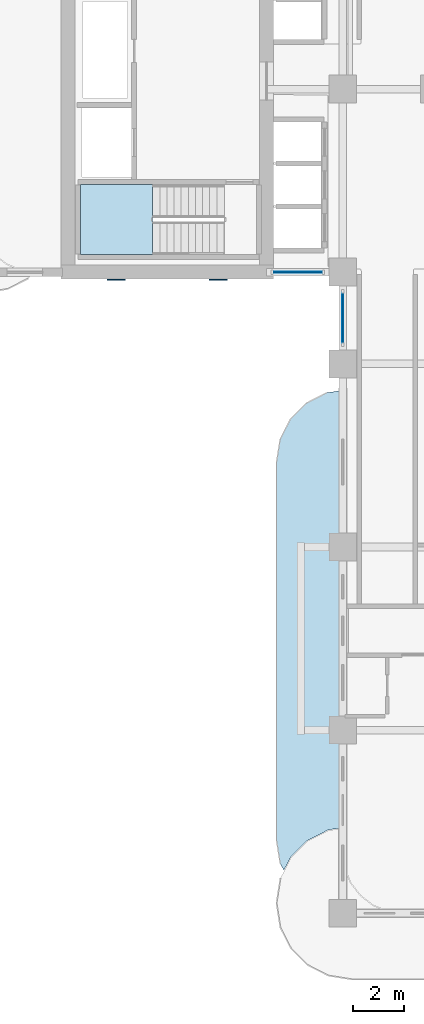
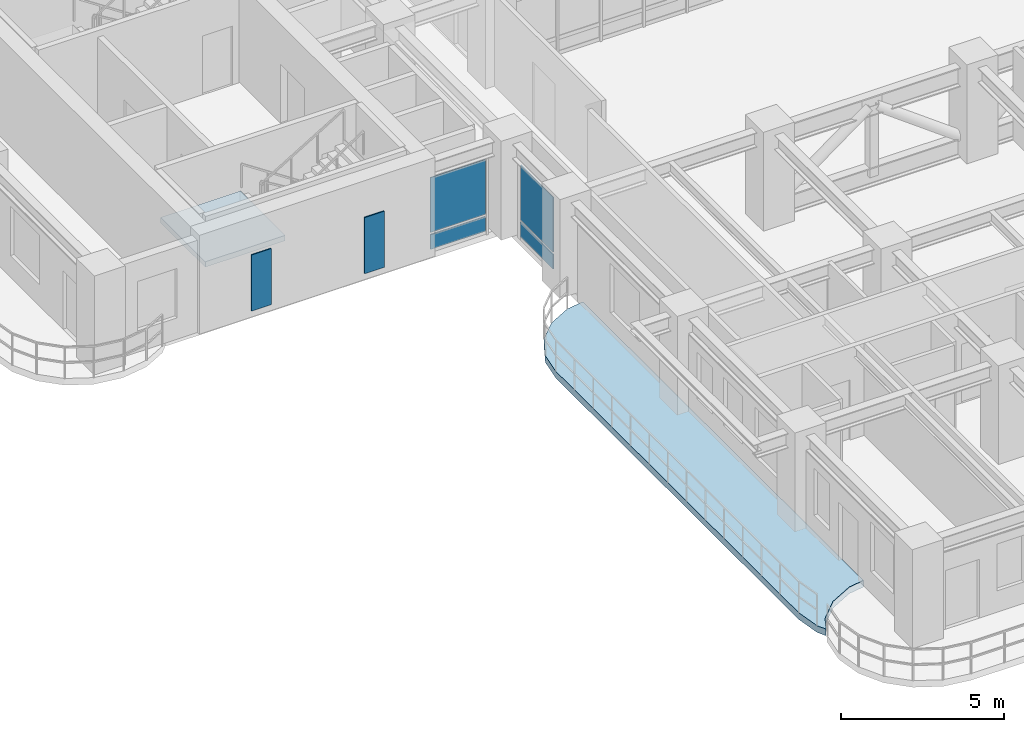
# One storey, part 7 of 21: 6 plates, 2 slabs, 3 elements without a shape of their own.
"""IFC4 building model written with IfcOpenShell, lengths in metres."""

import ifcopenshell
import ifcopenshell.guid

model = None  # the IFC model being written
_history = None  # IfcOwnerHistory: only IFC2X3 demands one
_inside = {}  # id of a spatial element -> (the spatial element, [elements in it])
_under = {}  # id of a project, library or spatial element -> (it, [spatial elements below it])
_declared = {}  # id of a project -> (the project, [libraries it declares])
_typed = {}  # id of a type object -> (the type object, [elements of that type])
_made_of = {}  # id of a material, layer set ... -> (it, [elements and type objects made of it])


def new_model(schema):
    """Start an empty IFC model of exactly this schema.

    Asked for "IFC4X3", IfcOpenShell would pick the latest addendum, in which some entities
    have other attributes; the version numbers below select the first issue.
    IFC2X3 requires an IfcOwnerHistory on every rooted entity: one is made here for all.
    """
    global model, _history
    if schema == "IFC4X3":
        model = ifcopenshell.file(schema_version=(4, 3, 0, 0))
    else:
        model = ifcopenshell.file(schema=schema)
    _inside.clear()
    _under.clear()
    _declared.clear()
    _typed.clear()
    _made_of.clear()
    _history = None
    if model.schema == "IFC2X3":
        org = make("IfcOrganization", Name="unknown")
        user = make(
            "IfcPersonAndOrganization",
            ThePerson=make("IfcPerson", FamilyName="unknown"),
            TheOrganization=org,
        )
        app = make(
            "IfcApplication",
            ApplicationDeveloper=org,
            Version="unknown",
            ApplicationFullName="unknown",
            ApplicationIdentifier="unknown",
        )
        _history = make(
            "IfcOwnerHistory",
            OwningUser=user,
            OwningApplication=app,
            ChangeAction="ADDED",
            CreationDate=0,
        )
    return model


def make(cls, **values):
    """One entity of the class cls with the attributes given. An attribute that is None is left unset."""
    return model.create_entity(
        cls, **{name: value for name, value in values.items() if value is not None}
    )


def rooted(cls, **values):
    """An entity with a GlobalId (a new one), such as an element, a storey or a relation."""
    return make(cls, GlobalId=ifcopenshell.guid.new(), OwnerHistory=_history, **values)


def si_unit(unit_type, name, prefix=None):
    """IfcSIUnit, for example si_unit("LENGTHUNIT", "METRE", prefix="MILLI")."""
    return make("IfcSIUnit", UnitType=unit_type, Prefix=prefix, Name=name)


def derived_unit(unit_type, elements):
    """IfcDerivedUnit: a product of units, each with its exponent."""
    return make(
        "IfcDerivedUnit",
        Elements=[
            make("IfcDerivedUnitElement", Unit=unit, Exponent=power)
            for unit, power in elements
        ],
        UnitType=unit_type,
    )


def assignment(units):
    """IfcUnitAssignment: the units of a project."""
    return None if units is None else make("IfcUnitAssignment", Units=units)


def point(xyz):
    """IfcCartesianPoint."""
    return None if xyz is None else make("IfcCartesianPoint", Coordinates=xyz)


def direction(xyz):
    """IfcDirection."""
    return None if xyz is None else make("IfcDirection", DirectionRatios=xyz)


def frame(location, z_axis=None, x_axis=None):
    """IfcAxis2Placement3D, a coordinate frame: its origin and axes. An axis left out is left unset."""
    return make(
        "IfcAxis2Placement3D",
        Location=point(location),
        Axis=direction(z_axis),
        RefDirection=direction(x_axis),
    )


def frame_2d(location, x_axis=None):
    """IfcAxis2Placement2D, a coordinate frame in the plane: its origin and x axis."""
    return make(
        "IfcAxis2Placement2D", Location=point(location), RefDirection=direction(x_axis)
    )


def origin():
    """The frame at (0, 0, 0) with its axes left unset."""
    return frame((0.0, 0.0, 0.0))


def origin_2d():
    """The frame at (0, 0) in the plane with its x axis left unset."""
    return frame_2d((0.0, 0.0))


def place(relative_to, where):
    """IfcLocalPlacement: puts the frame where relative to a parent placement (None: the world)."""
    return make(
        "IfcLocalPlacement", PlacementRelTo=relative_to, RelativePlacement=where
    )


def context(
    kind, dimensions, precision=None, world=None, true_north=None, identifier=None
):
    """IfcGeometricRepresentationContext, for example the 3D "Model" context."""
    return make(
        "IfcGeometricRepresentationContext",
        ContextIdentifier=identifier,
        ContextType=kind,
        CoordinateSpaceDimension=dimensions,
        Precision=precision,
        WorldCoordinateSystem=world,
        TrueNorth=true_north,
    )


def subcontext(parent, identifier, kind, view, scale=None):
    """IfcGeometricRepresentationSubContext, for example "Body" below "Model"."""
    return make(
        "IfcGeometricRepresentationSubContext",
        ContextIdentifier=identifier,
        ContextType=kind,
        ParentContext=parent,
        TargetScale=scale,
        TargetView=view,
    )


def project(units=None, contexts=None):
    """IfcProject with its units and contexts."""
    return rooted(
        "IfcProject",
        Name="project",
        RepresentationContexts=contexts,
        UnitsInContext=assignment(units),
    )


def spatial(cls, under=None, at=None, **own):
    """A site, building, storey or space (cls), placed at a placement, below another one or the project."""
    s = rooted(cls, ObjectPlacement=at, **own)
    if under is not None:
        _under.setdefault(under.id(), (under, []))[1].append(s)
    return s


def polyline(points):
    """IfcPolyline through the points."""
    return make("IfcPolyline", Points=[point(p) for p in points])


def profile(cls, at=None, kind="AREA", **sizes):
    """A parametric profile (cls). Its sizes go by their IFC names, for example OverallWidth=200.0."""
    return make(cls, ProfileType=kind, Position=at, **sizes)


def rectangle(**sizes):
    """IfcRectangleProfileDef."""
    return profile("IfcRectangleProfileDef", **sizes)


def outline(outer, holes=None, kind="AREA"):
    """IfcArbitraryClosedProfileDef: a profile drawn as a closed curve; with holes, ...WithVoids."""
    if holes is None:
        return make("IfcArbitraryClosedProfileDef", ProfileType=kind, OuterCurve=outer)
    return make(
        "IfcArbitraryProfileDefWithVoids",
        ProfileType=kind,
        OuterCurve=outer,
        InnerCurves=holes,
    )


def extrude(swept, where, along, depth):
    """IfcExtrudedAreaSolid: the profile swept, set in the frame where, extruded along a direction by depth."""
    return make(
        "IfcExtrudedAreaSolid",
        SweptArea=swept,
        Position=where,
        ExtrudedDirection=direction(along),
        Depth=depth,
    )


def shape(context_of_items, identifier, shape_type, items):
    """IfcShapeRepresentation: the items that make up one representation, for example the "Body"."""
    return make(
        "IfcShapeRepresentation",
        ContextOfItems=context_of_items,
        RepresentationIdentifier=identifier,
        RepresentationType=shape_type,
        Items=items,
    )


def source(mapping_origin, context_of_items, identifier, shape_type, items):
    """IfcRepresentationMap: a shape defined once, which mapped items show again and again."""
    return make(
        "IfcRepresentationMap",
        MappingOrigin=mapping_origin,
        MappedRepresentation=shape(context_of_items, identifier, shape_type, items),
    )


def transform(
    local_origin,
    x_axis=None,
    y_axis=None,
    z_axis=None,
    scale=None,
    scale2=None,
    scale3=None,
    uniform=True,
):
    """IfcCartesianTransformationOperator3D, or its non-uniform kind. x_axis, y_axis, z_axis: its Axis1, 2, 3."""
    if uniform:
        return make(
            "IfcCartesianTransformationOperator3D",
            Axis1=direction(x_axis),
            Axis2=direction(y_axis),
            LocalOrigin=point(local_origin),
            Scale=scale,
            Axis3=direction(z_axis),
        )
    return make(
        "IfcCartesianTransformationOperator3DnonUniform",
        Axis1=direction(x_axis),
        Axis2=direction(y_axis),
        LocalOrigin=point(local_origin),
        Scale=scale,
        Axis3=direction(z_axis),
        Scale2=scale2,
        Scale3=scale3,
    )


def mapped(mapping_source, mapping_target):
    """IfcMappedItem: shows the shape of a source again, moved by a transform."""
    return make(
        "IfcMappedItem", MappingSource=mapping_source, MappingTarget=mapping_target
    )


def material(Name=None, Category=None):
    """IfcMaterial."""
    return make("IfcMaterial", Name=Name, Category=Category)


def layer(
    of_material, thickness, ventilated=None, Name=None, Category=None, Priority=None
):
    """IfcMaterialLayer: one layer of a wall or slab, of a material (None: an air gap)."""
    return make(
        "IfcMaterialLayer",
        Material=of_material,
        LayerThickness=thickness,
        IsVentilated=ventilated,
        Name=Name,
        Category=Category,
        Priority=Priority,
    )


def layer_set(layers, Name=None):
    """IfcMaterialLayerSet."""
    return make("IfcMaterialLayerSet", MaterialLayers=layers, LayerSetName=Name)


def made_of(thing, what):
    """Note that an element or type object is made of a material, layer set ...; save() writes the relation."""
    if what is not None:
        _made_of.setdefault(what.id(), (what, []))[1].append(thing)
    return thing


def type_object(cls, material=None, **own):
    """A type object (cls), such as IfcWallType, which elements share."""
    return made_of(rooted(cls, **own), material)


def type_shapes(of_type, sources):
    """Give a type object the sources (RepresentationMaps) that its elements show as mapped items."""
    of_type.RepresentationMaps = sources


def element(
    cls,
    number,
    at=None,
    inside=None,
    cuts=None,
    type_object=None,
    material=None,
    context=None,
    identifier="Body",
    shape_type=None,
    held_by="IfcProductDefinitionShape",
    body=None,
    shapes=None,
    **own,
):
    """One element of the class cls, such as IfcWall. Its Tag is "e" and its number.

    at: its placement. inside: the storey or other place that contains it. cuts: it is an
    opening in that element (IfcRelVoidsElement). A single representation is given by context,
    identifier, shape_type and body (its items); several are given by shapes. held_by: the class
    of the entity that holds the representations. save() writes the other relations.
    """
    e = rooted(cls, Tag="e%d" % number, ObjectPlacement=at, **own)
    if body is not None:
        shapes = [shape(context, identifier, shape_type, body)]
    if shapes is not None:
        e.Representation = make(held_by, Representations=shapes)
    if inside is not None:
        _inside.setdefault(inside.id(), (inside, []))[1].append(e)
    if cuts is not None:
        rooted(
            "IfcRelVoidsElement", RelatingBuildingElement=cuts, RelatedOpeningElement=e
        )
    if type_object is not None:
        _typed.setdefault(type_object.id(), (type_object, []))[1].append(e)
    return made_of(e, material)


def aggregate(whole, parts):
    """IfcRelAggregates: a whole, such as a stair, and the parts it consists of."""
    return rooted("IfcRelAggregates", RelatingObject=whole, RelatedObjects=parts)


def save(model, path):
    """Write the relations noted so far, then the file.

    IfcRelAggregates (storeys below a building ...), IfcRelContainedInSpatialStructure (elements
    in a storey), IfcRelDefinesByType, IfcRelAssociatesMaterial and IfcRelDeclares: one each for
    every whole, place, type object, material and project.
    """
    for whole, parts in _under.values():
        aggregate(whole, parts)
    for where, things in _inside.values():
        rooted(
            "IfcRelContainedInSpatialStructure",
            RelatedElements=things,
            RelatingStructure=where,
        )
    for kind, things in _typed.values():
        rooted("IfcRelDefinesByType", RelatedObjects=things, RelatingType=kind)
    for what, things in _made_of.values():
        rooted("IfcRelAssociatesMaterial", RelatedObjects=things, RelatingMaterial=what)
    for by, libraries in _declared.values():
        rooted("IfcRelDeclares", RelatingContext=by, RelatedDefinitions=libraries)
    model.write(path)


model = new_model("IFC4")

# Units and contexts
model_context = context("Model", 3, precision=1e-05, world=origin(), true_north=direction((0.0, 1.0)))
body_context = subcontext(model_context, "Body", "Model", "MODEL_VIEW")
ifc_project = project(units=[si_unit("LENGTHUNIT", "METRE"), si_unit("AREAUNIT", "SQUARE_METRE"), si_unit("VOLUMEUNIT", "CUBIC_METRE"), si_unit("PLANEANGLEUNIT", "RADIAN"), si_unit("MASSUNIT", "GRAM", prefix="KILO"), si_unit("THERMODYNAMICTEMPERATUREUNIT", "KELVIN"), si_unit("POWERUNIT", "WATT"), derived_unit("THERMALTRANSMITTANCEUNIT", [(si_unit("POWERUNIT", "WATT"), 1), (si_unit("AREAUNIT", "SQUARE_METRE"), -1), (si_unit("THERMODYNAMICTEMPERATUREUNIT", "KELVIN"), -1)])], contexts=[model_context])

# Site, building, storey
site_placement = place(None, origin())
site = spatial("IfcSite", under=ifc_project, at=site_placement, CompositionType="ELEMENT")
building_placement = place(site_placement, origin())
building = spatial("IfcBuilding", under=site, at=building_placement, Name="Zahravan Archway Hotel and Residences", CompositionType="ELEMENT")
storey_placement = place(building_placement, frame((0.0, 0.0, 69.39990234375)))
storey = spatial("IfcBuildingStorey", under=building, at=storey_placement, Name="L16", CompositionType="ELEMENT", Elevation=69.39990234375)

# Slab
ifc_material_1 = material(Name="Concrete C45/55", Category="concrete")
ifc_layer_1 = layer(ifc_material_1, 0.25, Name="Concrete C45/55", Category="concrete")
ifc_layer_set_1 = layer_set([ifc_layer_1], Name="Concrete C45/55")
slab_type_1 = type_object("IfcSlabType", Name="SLB-BALC-250", PredefinedType="FLOOR", material=ifc_layer_set_1)
slab_1_placement = place(storey_placement, frame((0.0, 0.0, -0.25)))
element("IfcSlab", 1, at=slab_1_placement, inside=storey, type_object=slab_type_1, Name="L16 Wing A West Rounded Balcony Band", PredefinedType="FLOOR", context=body_context, shape_type="SweptSolid", body=[
    extrude(outline(polyline([(11.939453125, 1.96923828125), (11.800048828125, 2.85009765625), (11.800048828125, 17.75), (11.939453125, 18.630615234375), (12.34423828125, 19.42529296875), (12.974853515625, 20.0556640625), (13.769287109375, 20.46044921875), (14.3798828125, 20.55712890625), (14.3798828125, 3.361328125), (14.37890625, 3.361328125), (14.376953125, 3.361083984375), (13.835205078125, 3.275390625), (13.833251953125, 3.27490234375), (13.831298828125, 3.2744140625), (13.829345703125, 3.2734375), (13.0068359375, 2.8544921875), (13.005126953125, 2.853515625), (13.00341796875, 2.85205078125), (13.001953125, 2.8505859375), (12.349365234375, 2.197998046875), (12.347900390625, 2.196533203125), (12.3466796875, 2.19482421875), (12.345703125, 2.193115234375), (12.08544921875, 1.6826171875), (11.939453125, 1.96923828125)])), origin(), (0.0, 0.0, 1.0), 0.25),
])

# Stair, slab
ifc_material_2 = material(Name="Concrete C50/60", Category="concrete")
stair_type = type_object("IfcStairType", Name="STR-CORE-1300", PredefinedType="HALF_TURN_STAIR", material=ifc_material_2)
stair_placement = place(storey_placement, origin())
stair = element("IfcStair", 2, at=stair_placement, inside=storey, type_object=stair_type, Name="L16 Core B Exit Stair 1", PredefinedType="HALF_TURN_STAIR")
ifc_layer_2 = layer(ifc_material_2, 0.199951171875, Name="Concrete C50/60", Category="concrete")
ifc_layer_set_2 = layer_set([ifc_layer_2], Name="Concrete C50/60")
slab_type_2 = type_object("IfcSlabType", Name="SLB-LND-200", PredefinedType="LANDING", material=ifc_layer_set_2)
slab_2_placement = place(storey_placement, frame((0.0, 0.0, 1.650146484375)))
slab_2 = element("IfcSlab", 3, at=slab_2_placement, type_object=slab_type_2, Name="ST-B1 landing 1", PredefinedType="LANDING", context=body_context, shape_type="SweptSolid", body=[
    extrude(outline(polyline([(6.929931640625, 28.639892578125), (4.10009765625, 28.639892578125), (4.10009765625, 25.89990234375), (6.929931640625, 25.89990234375), (6.929931640625, 28.639892578125)])), origin(), (0.0, 0.0, 1.0), 0.199951171875),
])
aggregate(stair, [slab_2])

# Plates
ifc_material_3 = material(Name="Perforated Cast Bronze Jali Lattice")
ifc_layer_3 = layer(ifc_material_3, 0.044921875, Name="Perforated Cast Bronze Jali Lattice")
ifc_layer_set_3 = layer_set([ifc_layer_3], Name="Perforated Cast Bronze Jali Lattice")
plate_type_1 = type_object("IfcPlateType", Name="PLT-JALI-BAY", PredefinedType="USERDEFINED", material=ifc_layer_set_3)
shared_shape_1 = source(origin(), body_context, "Body", "SweptSolid", [
    extrude(rectangle(XDim=0.699951171875, YDim=0.044921875, at=origin_2d()), origin(), (0.0, 0.0, 1.0), 2.10009765625),
])
type_shapes(plate_type_1, [shared_shape_1])
for number, where, z_axis, x_axis, name in (
    (4, (5.5, 24.906982421875, 0.25), (0.0, 0.0, 1.0), (1.0, 0.0, 0.0), "L16 Core B South Mughal Jali Screen 1"),
    (5, (9.5, 24.906982421875, 0.25), (0.0, 0.0, 1.0), (1.0, 0.0, 0.0), "L16 Core B South Mughal Jali Screen 2"),
):
    element("IfcPlate", number, at=place(storey_placement, frame(where, z_axis=z_axis, x_axis=x_axis)), inside=storey, type_object=plate_type_1, Name=name, ObjectType="SCREEN", PredefinedType="USERDEFINED", context=body_context, shape_type="MappedRepresentation", body=[
        mapped(shared_shape_1, transform((0.0, 0.0, 0.0), scale=1.0)),
    ])

# Curtain wall, plates
ifc_material_4 = material(Name="Bronze-Anodized Unitised Aluminium & Low-E Glass", Category="aluminium")
ifc_layer_4 = layer(ifc_material_4, 0.179931640625, Name="Bronze-Anodized Unitised Aluminium & Low-E Glass", Category="aluminium")
ifc_layer_set_4 = layer_set([ifc_layer_4], Name="Bronze-Anodized Unitised Aluminium & Low-E Glass")
curtain_wall_type = type_object("IfcCurtainWallType", Name="CW-SBG-1", PredefinedType="NOTDEFINED", material=ifc_layer_set_4)
curtain_wall_1_placement = place(storey_placement, origin())
curtain_wall_1 = element("IfcCurtainWall", 6, at=curtain_wall_1_placement, inside=storey, type_object=curtain_wall_type, Name="L16 Curtain Wall CW-L16-WB-SE-1", PredefinedType="NOTDEFINED")
ifc_material_5 = material(Name="Insulated Terracotta Spandrel Panel", Category="masonry")
ifc_layer_5 = layer(ifc_material_5, 0.0400390625, Name="Insulated Terracotta Spandrel Panel", Category="masonry")
ifc_layer_set_5 = layer_set([ifc_layer_5], Name="Insulated Terracotta Spandrel Panel")
plate_type_2 = type_object("IfcPlateType", Name="CWP-SPN-40", PredefinedType="SHEET", material=ifc_layer_set_5)
shared_shape_2 = source(origin(), body_context, "Body", "SweptSolid", [
    extrude(rectangle(XDim=1.93994140625, YDim=0.0400390625, at=origin_2d()), origin(), (0.0, 0.0, 1.0), 0.552490234375),
])
plate_1_placement = place(storey_placement, frame((12.6298828125, 25.199951171875, 0.10009765625), z_axis=(0.0, 0.0, 1.0), x_axis=(1.0, 0.0, 0.0)))
plate_1 = element("IfcPlate", 7, at=plate_1_placement, type_object=plate_type_2, Name="CW-L16-WB-SE-1 Spandrel Panel 0", PredefinedType="SHEET", context=body_context, shape_type="MappedRepresentation", body=[
    mapped(shared_shape_2, transform((0.0, 0.0, 0.0), scale=1.0)),
])
ifc_material_6 = material(Name="Double-Silver Low-E Insulated Vision Glass", Category="glass")
ifc_layer_6 = layer(ifc_material_6, 0.028076171875, Name="Double-Silver Low-E Insulated Vision Glass", Category="glass")
ifc_layer_set_6 = layer_set([ifc_layer_6], Name="Double-Silver Low-E Insulated Vision Glass")
plate_type_3 = type_object("IfcPlateType", Name="CWP-GLZ-28", PredefinedType="CURTAIN_PANEL", material=ifc_layer_set_6)
shared_shape_3 = source(origin(), body_context, "Body", "SweptSolid", [
    extrude(rectangle(XDim=1.93994140625, YDim=0.028076171875, at=origin_2d()), origin(), (0.0, 0.0, 1.0), 2.052490234375),
])
plate_2_placement = place(storey_placement, frame((12.6298828125, 25.199951171875, 0.732421875), z_axis=(0.0, 0.0, 1.0), x_axis=(1.0, 0.0, 0.0)))
plate_2 = element("IfcPlate", 8, at=plate_2_placement, type_object=plate_type_3, Name="CW-L16-WB-SE-1 Low-E Vision Panel 0", PredefinedType="CURTAIN_PANEL", context=body_context, shape_type="MappedRepresentation", body=[
    mapped(shared_shape_3, transform((0.0, 0.0, 0.0), scale=1.0)),
])
aggregate(curtain_wall_1, [plate_1, plate_2])

curtain_wall_2_placement = place(storey_placement, origin())
curtain_wall_2 = element("IfcCurtainWall", 9, at=curtain_wall_2_placement, inside=storey, type_object=curtain_wall_type, Name="L16 Curtain Wall CW-L16-WA-WLU-1", PredefinedType="NOTDEFINED")
shared_shape_4 = source(origin(), body_context, "Body", "SweptSolid", [
    extrude(rectangle(XDim=2.0, YDim=0.0400390625, at=origin_2d()), origin(), (0.0, 0.0, 1.0), 0.552490234375),
])
plate_3_placement = place(storey_placement, frame((14.39990234375, 23.39990234375, 0.10009765625), z_axis=(0.0, 0.0, 1.0), x_axis=(0.0, 1.0, 0.0)))
plate_3 = element("IfcPlate", 10, at=plate_3_placement, type_object=plate_type_2, Name="CW-L16-WA-WLU-1 Spandrel Panel 0", PredefinedType="SHEET", context=body_context, shape_type="MappedRepresentation", body=[
    mapped(shared_shape_4, transform((0.0, 0.0, 0.0), scale=1.0)),
])
shared_shape_5 = source(origin(), body_context, "Body", "SweptSolid", [
    extrude(rectangle(XDim=2.0, YDim=0.028076171875, at=origin_2d()), origin(), (0.0, 0.0, 1.0), 2.052490234375),
])
plate_4_placement = place(storey_placement, frame((14.39990234375, 23.39990234375, 0.732421875), z_axis=(0.0, 0.0, 1.0), x_axis=(0.0, 1.0, 0.0)))
plate_4 = element("IfcPlate", 11, at=plate_4_placement, type_object=plate_type_3, Name="CW-L16-WA-WLU-1 Low-E Vision Panel 0", PredefinedType="CURTAIN_PANEL", context=body_context, shape_type="MappedRepresentation", body=[
    mapped(shared_shape_5, transform((0.0, 0.0, 0.0), scale=1.0)),
])
aggregate(curtain_wall_2, [plate_3, plate_4])

save(model, "model.ifc")
